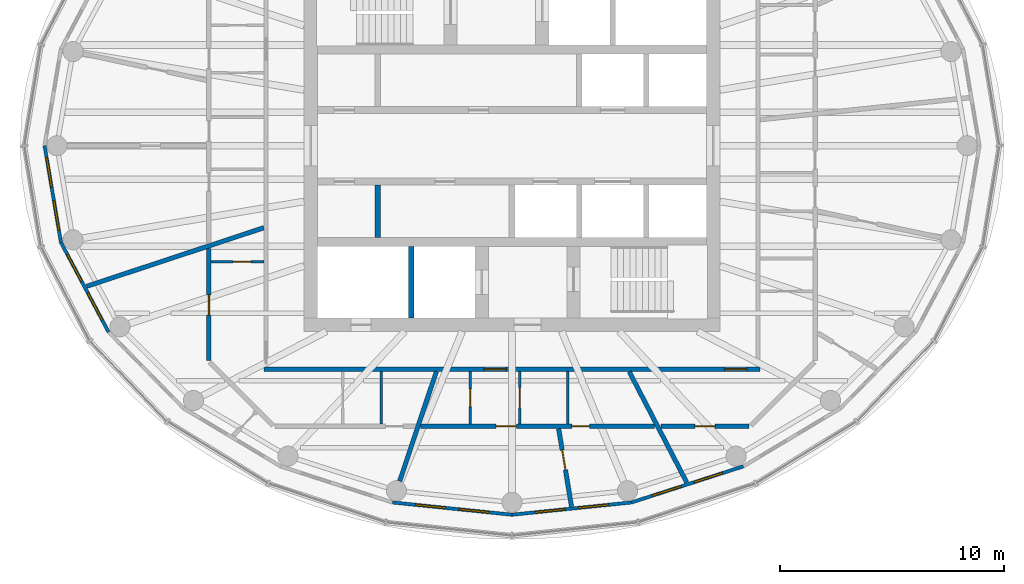
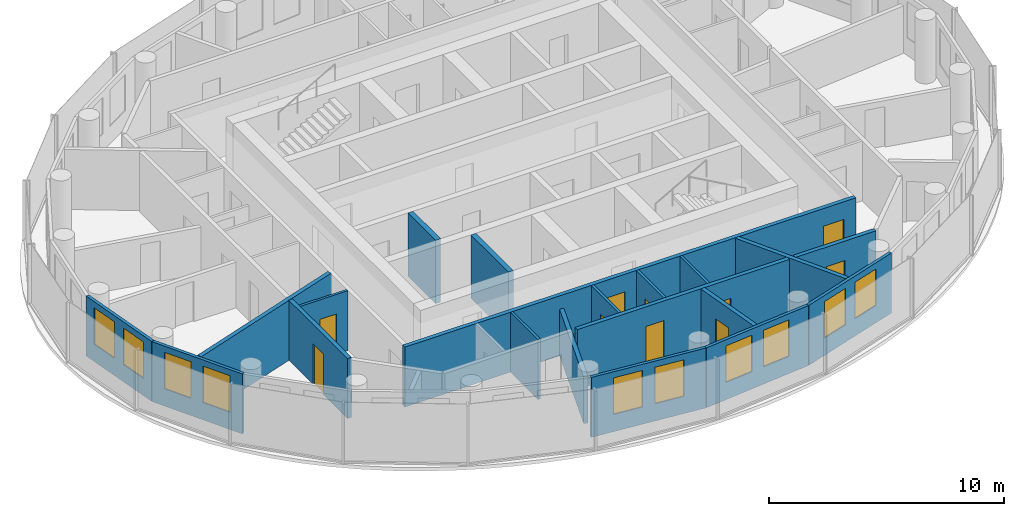
# One storey, part 5 of 11: 20 walls, 10 doors, 10 windows, 20 openings.
"""IFC4 building model written with IfcOpenShell, lengths in metres."""

from ifc_helpers import new_model, si_unit, direction, frame, frame_2d, origin, place, context, subcontext, project, spatial, rectangle, extrude, material, layer, layer_set, type_object, element, fill, save


model = new_model("IFC4")

# Units and contexts
model_context = context("Model", 3, precision=1e-05, world=origin(), true_north=direction((0.0, 1.0)))
body_context = subcontext(model_context, "Body", "Model", "MODEL_VIEW")
ifc_project = project(units=[si_unit("LENGTHUNIT", "METRE"), si_unit("AREAUNIT", "SQUARE_METRE"), si_unit("VOLUMEUNIT", "CUBIC_METRE"), si_unit("PLANEANGLEUNIT", "RADIAN"), si_unit("MASSUNIT", "GRAM", prefix="KILO")], contexts=[model_context])

# Site, building, storey
site_placement = place(None, origin())
site = spatial("IfcSite", under=ifc_project, at=site_placement, CompositionType="ELEMENT")
building_placement = place(site_placement, origin())
building = spatial("IfcBuilding", under=site, at=building_placement, Name="Hankou Lantern Tower", CompositionType="ELEMENT")
storey_placement = place(building_placement, frame((0.0, 0.0, 209.39990234375)))
storey = spatial("IfcBuildingStorey", under=building, at=storey_placement, Name="L56", CompositionType="ELEMENT", Elevation=209.39990234375)

# Wall, openings, windows
ifc_material_1 = material(Name="Aluminium spandrel panel on steel studs", Category="steel")
ifc_layer_1 = layer(ifc_material_1, 0.14990234375)
ifc_layer_set_1 = layer_set([ifc_layer_1], Name="Aluminium spandrel panel on steel studs")
wall_type_1 = type_object("IfcWallType", Name="EW1 INNER SKIN WALL 150", PredefinedType="ELEMENTEDWALL", material=ifc_layer_set_1)
wall_1_placement = place(storey_placement, frame((-20.89990234375, 0.0, 0.0), z_axis=(0.0, 0.0, 1.0), x_axis=(0.166538513568, -0.986034950445, 0.0)))
wall_1 = element("IfcWall", 1, at=wall_1_placement, inside=storey, type_object=wall_type_1, Name="Inner skin R13-R14 L56", PredefinedType="ELEMENTEDWALL", context=body_context, shape_type="SweptSolid", body=[
    extrude(rectangle(XDim=4.384765625, YDim=0.14990234375, at=frame_2d((2.1923828125, 0.0))), origin(), (0.0, 0.0, 1.0), 3.1201171875),
])
opening_1_placement = place(wall_1_placement, frame((0.54248046875, 0.0, 0.89990234375)))
opening_1 = element("IfcOpeningElement", 2, at=opening_1_placement, cuts=wall_1, Name="Opening W4", PredefinedType="OPENING", context=body_context, shape_type="SweptSolid", body=[
    extrude(rectangle(XDim=1.35009765625, YDim=1.89990234375, at=frame_2d((0.675048828125, 0.949951171875))), frame((0.0, 0.0849609375, 0.0), z_axis=(0.0, -1.0, 0.0), x_axis=(1.0, 0.0, 0.0)), (0.0, 0.0, 1.0), 0.169921875),
])
opening_2_placement = place(wall_1_placement, frame((2.492431640625, 0.0, 0.89990234375)))
opening_2 = element("IfcOpeningElement", 3, at=opening_2_placement, cuts=wall_1, Name="Opening W4", PredefinedType="OPENING", context=body_context, shape_type="SweptSolid", body=[
    extrude(rectangle(XDim=1.35009765625, YDim=1.89990234375, at=frame_2d((0.675048828125, 0.949951171875))), frame((0.0, 0.0849609375, 0.0), z_axis=(0.0, -1.0, 0.0), x_axis=(1.0, 0.0, 0.0)), (0.0, 0.0, 1.0), 0.169921875),
])
ifc_material_2 = material(Name="Aluminium framed double glazed window", Category="aluminium")
window_type = type_object("IfcWindowType", Name="W4 SUITE WINDOW 1350X1900", PartitioningType="DOUBLE_PANEL_VERTICAL", PredefinedType="WINDOW", material=ifc_material_2)
window_1_placement = place(opening_1_placement, origin())
window_1 = element("IfcWindow", 4, at=window_1_placement, inside=storey, type_object=window_type, Name="Window R13.1 L56", OverallHeight=1.89990234375, OverallWidth=1.35009765625, PartitioningType="SINGLE_PANEL", PredefinedType="WINDOW", context=body_context, shape_type="SweptSolid", body=[
    extrude(rectangle(XDim=1.35009765625, YDim=1.89990234375, at=frame_2d((0.675048828125, 0.949951171875))), frame((0.0, 0.030029296875, 0.0), z_axis=(0.0, -1.0, 0.0), x_axis=(1.0, 0.0, 0.0)), (0.0, 0.0, 1.0), 0.06005859375),
])
fill(opening_1, window_1)
window_2_placement = place(opening_2_placement, origin())
window_2 = element("IfcWindow", 5, at=window_2_placement, inside=storey, type_object=window_type, Name="Window R13.2 L56", OverallHeight=1.89990234375, OverallWidth=1.35009765625, PartitioningType="SINGLE_PANEL", PredefinedType="WINDOW", context=body_context, shape_type="SweptSolid", body=[
    extrude(rectangle(XDim=1.35009765625, YDim=1.89990234375, at=frame_2d((0.675048828125, 0.949951171875))), frame((0.0, 0.030029296875, 0.0), z_axis=(0.0, -1.0, 0.0), x_axis=(1.0, 0.0, 0.0)), (0.0, 0.0, 1.0), 0.06005859375),
])
fill(opening_2, window_2)

wall_2_placement = place(storey_placement, frame((-20.169677734375, -4.323486328125, 0.0), z_axis=(0.0, 0.0, 1.0), x_axis=(0.469256152955, -0.883062094597, 0.0)))
wall_2 = element("IfcWall", 6, at=wall_2_placement, inside=storey, type_object=wall_type_1, Name="Inner skin R14-R15 L56", PredefinedType="ELEMENTEDWALL", context=body_context, shape_type="SweptSolid", body=[
    extrude(rectangle(XDim=4.539306640625, YDim=0.14990234375, at=frame_2d((2.26953125, 0.0))), origin(), (0.0, 0.0, 1.0), 3.1201171875),
])
opening_3_placement = place(wall_2_placement, frame((0.61962890625, 0.0, 0.89990234375)))
opening_3 = element("IfcOpeningElement", 7, at=opening_3_placement, cuts=wall_2, Name="Opening W4", PredefinedType="OPENING", context=body_context, shape_type="SweptSolid", body=[
    extrude(rectangle(XDim=1.35009765625, YDim=1.89990234375, at=frame_2d((0.675048828125, 0.949951171875))), frame((0.0, 0.0849609375, 0.0), z_axis=(0.0, -1.0, 0.0), x_axis=(1.0, 0.0, 0.0)), (0.0, 0.0, 1.0), 0.169921875),
])
opening_4_placement = place(wall_2_placement, frame((2.569580078125, 0.0, 0.89990234375)))
opening_4 = element("IfcOpeningElement", 8, at=opening_4_placement, cuts=wall_2, Name="Opening W4", PredefinedType="OPENING", context=body_context, shape_type="SweptSolid", body=[
    extrude(rectangle(XDim=1.35009765625, YDim=1.89990234375, at=frame_2d((0.675048828125, 0.949951171875))), frame((0.0, 0.0849609375, 0.0), z_axis=(0.0, -1.0, 0.0), x_axis=(1.0, 0.0, 0.0)), (0.0, 0.0, 1.0), 0.169921875),
])
window_3_placement = place(opening_3_placement, origin())
window_3 = element("IfcWindow", 9, at=window_3_placement, inside=storey, type_object=window_type, Name="Window R14.1 L56", OverallHeight=1.89990234375, OverallWidth=1.35009765625, PartitioningType="SINGLE_PANEL", PredefinedType="WINDOW", context=body_context, shape_type="SweptSolid", body=[
    extrude(rectangle(XDim=1.35009765625, YDim=1.89990234375, at=frame_2d((0.675048828125, 0.949951171875))), frame((0.0, 0.030029296875, 0.0), z_axis=(0.0, -1.0, 0.0), x_axis=(1.0, 0.0, 0.0)), (0.0, 0.0, 1.0), 0.06005859375),
])
fill(opening_3, window_3)
window_4_placement = place(opening_4_placement, origin())
window_4 = element("IfcWindow", 10, at=window_4_placement, inside=storey, type_object=window_type, Name="Window R14.2 L56", OverallHeight=1.89990234375, OverallWidth=1.35009765625, PartitioningType="SINGLE_PANEL", PredefinedType="WINDOW", context=body_context, shape_type="SweptSolid", body=[
    extrude(rectangle(XDim=1.35009765625, YDim=1.89990234375, at=frame_2d((0.675048828125, 0.949951171875))), frame((0.0, 0.030029296875, 0.0), z_axis=(0.0, -1.0, 0.0), x_axis=(1.0, 0.0, 0.0)), (0.0, 0.0, 1.0), 0.06005859375),
])
fill(opening_4, window_4)

wall_3_placement = place(storey_placement, frame((-5.3427734375, -15.95166015625, 0.0), z_axis=(0.0, 0.0, 1.0), x_axis=(0.994774574972, -0.102095763818, 0.0)))
wall_3 = element("IfcWall", 11, at=wall_3_placement, inside=storey, type_object=wall_type_1, Name="Inner skin R18-R19 L56", PredefinedType="ELEMENTEDWALL", context=body_context, shape_type="SweptSolid", body=[
    extrude(rectangle(XDim=5.370849609375, YDim=0.14990234375, at=frame_2d((2.685546875, 0.0))), origin(), (0.0, 0.0, 1.0), 3.1201171875),
])
opening_5_placement = place(wall_3_placement, frame((1.035400390625, 0.0, 0.89990234375)))
opening_5 = element("IfcOpeningElement", 12, at=opening_5_placement, cuts=wall_3, Name="Opening W4", PredefinedType="OPENING", context=body_context, shape_type="SweptSolid", body=[
    extrude(rectangle(XDim=1.35009765625, YDim=1.89990234375, at=frame_2d((0.675048828125, 0.949951171875))), frame((0.0, 0.0849609375, 0.0), z_axis=(0.0, -1.0, 0.0), x_axis=(1.0, 0.0, 0.0)), (0.0, 0.0, 1.0), 0.169921875),
])
opening_6_placement = place(wall_3_placement, frame((2.9853515625, 0.0, 0.89990234375)))
opening_6 = element("IfcOpeningElement", 13, at=opening_6_placement, cuts=wall_3, Name="Opening W4", PredefinedType="OPENING", context=body_context, shape_type="SweptSolid", body=[
    extrude(rectangle(XDim=1.35009765625, YDim=1.89990234375, at=frame_2d((0.675048828125, 0.949951171875))), frame((0.0, 0.0849609375, 0.0), z_axis=(0.0, -1.0, 0.0), x_axis=(1.0, 0.0, 0.0)), (0.0, 0.0, 1.0), 0.169921875),
])
window_5_placement = place(opening_5_placement, origin())
window_5 = element("IfcWindow", 14, at=window_5_placement, inside=storey, type_object=window_type, Name="Window R18.1 L56", OverallHeight=1.89990234375, OverallWidth=1.35009765625, PartitioningType="SINGLE_PANEL", PredefinedType="WINDOW", context=body_context, shape_type="SweptSolid", body=[
    extrude(rectangle(XDim=1.35009765625, YDim=1.89990234375, at=frame_2d((0.675048828125, 0.949951171875))), frame((0.0, 0.030029296875, 0.0), z_axis=(0.0, -1.0, 0.0), x_axis=(1.0, 0.0, 0.0)), (0.0, 0.0, 1.0), 0.06005859375),
])
fill(opening_5, window_5)
window_6_placement = place(opening_6_placement, origin())
window_6 = element("IfcWindow", 15, at=window_6_placement, inside=storey, type_object=window_type, Name="Window R18.2 L56", OverallHeight=1.89990234375, OverallWidth=1.35009765625, PartitioningType="SINGLE_PANEL", PredefinedType="WINDOW", context=body_context, shape_type="SweptSolid", body=[
    extrude(rectangle(XDim=1.35009765625, YDim=1.89990234375, at=frame_2d((0.675048828125, 0.949951171875))), frame((0.0, 0.030029296875, 0.0), z_axis=(0.0, -1.0, 0.0), x_axis=(1.0, 0.0, 0.0)), (0.0, 0.0, 1.0), 0.06005859375),
])
fill(opening_6, window_6)

wall_4_placement = place(storey_placement, frame((0.0, -16.5, 0.0), z_axis=(0.0, 0.0, 1.0), x_axis=(0.994774574972, 0.102095763818, 0.0)))
wall_4 = element("IfcWall", 16, at=wall_4_placement, inside=storey, type_object=wall_type_1, Name="Inner skin R19-R20 L56", PredefinedType="ELEMENTEDWALL", context=body_context, shape_type="SweptSolid", body=[
    extrude(rectangle(XDim=5.370849609375, YDim=0.14990234375, at=frame_2d((2.685546875, 0.0))), origin(), (0.0, 0.0, 1.0), 3.1201171875),
])
opening_7_placement = place(wall_4_placement, frame((1.035400390625, 0.0, 0.89990234375)))
opening_7 = element("IfcOpeningElement", 17, at=opening_7_placement, cuts=wall_4, Name="Opening W4", PredefinedType="OPENING", context=body_context, shape_type="SweptSolid", body=[
    extrude(rectangle(XDim=1.35009765625, YDim=1.89990234375, at=frame_2d((0.675048828125, 0.949951171875))), frame((0.0, 0.0849609375, 0.0), z_axis=(0.0, -1.0, 0.0), x_axis=(1.0, 0.0, 0.0)), (0.0, 0.0, 1.0), 0.169921875),
])
opening_8_placement = place(wall_4_placement, frame((2.9853515625, 0.0, 0.89990234375)))
opening_8 = element("IfcOpeningElement", 18, at=opening_8_placement, cuts=wall_4, Name="Opening W4", PredefinedType="OPENING", context=body_context, shape_type="SweptSolid", body=[
    extrude(rectangle(XDim=1.35009765625, YDim=1.89990234375, at=frame_2d((0.675048828125, 0.949951171875))), frame((0.0, 0.0849609375, 0.0), z_axis=(0.0, -1.0, 0.0), x_axis=(1.0, 0.0, 0.0)), (0.0, 0.0, 1.0), 0.169921875),
])
window_7_placement = place(opening_7_placement, origin())
window_7 = element("IfcWindow", 19, at=window_7_placement, inside=storey, type_object=window_type, Name="Window R19.1 L56", OverallHeight=1.89990234375, OverallWidth=1.35009765625, PartitioningType="SINGLE_PANEL", PredefinedType="WINDOW", context=body_context, shape_type="SweptSolid", body=[
    extrude(rectangle(XDim=1.35009765625, YDim=1.89990234375, at=frame_2d((0.675048828125, 0.949951171875))), frame((0.0, 0.030029296875, 0.0), z_axis=(0.0, -1.0, 0.0), x_axis=(1.0, 0.0, 0.0)), (0.0, 0.0, 1.0), 0.06005859375),
])
fill(opening_7, window_7)
window_8_placement = place(opening_8_placement, origin())
window_8 = element("IfcWindow", 20, at=window_8_placement, inside=storey, type_object=window_type, Name="Window R19.2 L56", OverallHeight=1.89990234375, OverallWidth=1.35009765625, PartitioningType="SINGLE_PANEL", PredefinedType="WINDOW", context=body_context, shape_type="SweptSolid", body=[
    extrude(rectangle(XDim=1.35009765625, YDim=1.89990234375, at=frame_2d((0.675048828125, 0.949951171875))), frame((0.0, 0.030029296875, 0.0), z_axis=(0.0, -1.0, 0.0), x_axis=(1.0, 0.0, 0.0)), (0.0, 0.0, 1.0), 0.06005859375),
])
fill(opening_8, window_8)

wall_5_placement = place(storey_placement, frame((5.3427734375, -15.95166015625, 0.0), z_axis=(0.0, 0.0, 1.0), x_axis=(0.951644702515, 0.307200846638, 0.0)))
wall_5 = element("IfcWall", 21, at=wall_5_placement, inside=storey, type_object=wall_type_1, Name="Inner skin R20-R21 L56", PredefinedType="ELEMENTEDWALL", context=body_context, shape_type="SweptSolid", body=[
    extrude(rectangle(XDim=5.2578125, YDim=0.14990234375, at=frame_2d((2.62890625, 0.0))), origin(), (0.0, 0.0, 1.0), 3.1201171875),
])
opening_9_placement = place(wall_5_placement, frame((0.97900390625, 0.0, 0.89990234375)))
opening_9 = element("IfcOpeningElement", 22, at=opening_9_placement, cuts=wall_5, Name="Opening W4", PredefinedType="OPENING", context=body_context, shape_type="SweptSolid", body=[
    extrude(rectangle(XDim=1.35009765625, YDim=1.89990234375, at=frame_2d((0.675048828125, 0.949951171875))), frame((0.0, 0.0849609375, 0.0), z_axis=(0.0, -1.0, 0.0), x_axis=(1.0, 0.0, 0.0)), (0.0, 0.0, 1.0), 0.169921875),
])
opening_10_placement = place(wall_5_placement, frame((2.928955078125, 0.0, 0.89990234375)))
opening_10 = element("IfcOpeningElement", 23, at=opening_10_placement, cuts=wall_5, Name="Opening W4", PredefinedType="OPENING", context=body_context, shape_type="SweptSolid", body=[
    extrude(rectangle(XDim=1.35009765625, YDim=1.89990234375, at=frame_2d((0.675048828125, 0.949951171875))), frame((0.0, 0.0849609375, 0.0), z_axis=(0.0, -1.0, 0.0), x_axis=(1.0, 0.0, 0.0)), (0.0, 0.0, 1.0), 0.169921875),
])
window_9_placement = place(opening_9_placement, origin())
window_9 = element("IfcWindow", 24, at=window_9_placement, inside=storey, type_object=window_type, Name="Window R20.1 L56", OverallHeight=1.89990234375, OverallWidth=1.35009765625, PartitioningType="SINGLE_PANEL", PredefinedType="WINDOW", context=body_context, shape_type="SweptSolid", body=[
    extrude(rectangle(XDim=1.35009765625, YDim=1.89990234375, at=frame_2d((0.675048828125, 0.949951171875))), frame((0.0, 0.030029296875, 0.0), z_axis=(0.0, -1.0, 0.0), x_axis=(1.0, 0.0, 0.0)), (0.0, 0.0, 1.0), 0.06005859375),
])
fill(opening_9, window_9)
window_10_placement = place(opening_10_placement, origin())
window_10 = element("IfcWindow", 25, at=window_10_placement, inside=storey, type_object=window_type, Name="Window R20.2 L56", OverallHeight=1.89990234375, OverallWidth=1.35009765625, PartitioningType="SINGLE_PANEL", PredefinedType="WINDOW", context=body_context, shape_type="SweptSolid", body=[
    extrude(rectangle(XDim=1.35009765625, YDim=1.89990234375, at=frame_2d((0.675048828125, 0.949951171875))), frame((0.0, 0.030029296875, 0.0), z_axis=(0.0, -1.0, 0.0), x_axis=(1.0, 0.0, 0.0)), (0.0, 0.0, 1.0), 0.06005859375),
])
fill(opening_10, window_10)

# Walls
ifc_material_3 = material(Name="Masonry lightweight concrete block", Category="masonry")
ifc_layer_2 = layer(ifc_material_3, 0.199951171875)
ifc_layer_set_2 = layer_set([ifc_layer_2], Name="Masonry lightweight concrete block")
wall_type_2 = type_object("IfcWallType", Name="IW1 GUEST ROOM PARTY WALL 200", PredefinedType="PARTITIONING", material=ifc_layer_set_2)
wall_6_placement = place(storey_placement, frame((-11.10009765625, -3.668701171875, 0.0), z_axis=(0.0, 0.0, 1.0), x_axis=(-0.949476668397, -0.313837627079, 0.0)))
element("IfcWall", 26, at=wall_6_placement, inside=storey, type_object=wall_type_2, Name="Party wall R14-R15", PredefinedType="PARTITIONING", context=body_context, shape_type="SweptSolid", body=[
    extrude(rectangle(XDim=8.338623046875, YDim=0.199951171875, at=frame_2d((4.16943359375, 0.0))), origin(), (0.0, 0.0, 1.0), 3.1201171875),
])
wall_7_placement = place(storey_placement, frame((-3.3828125, -10.10009765625, 0.0), z_axis=(0.0, 0.0, 1.0), x_axis=(-0.317602151035, -0.948224063003, 0.0)))
element("IfcWall", 27, at=wall_7_placement, inside=storey, type_object=wall_type_2, Name="Party wall R18", PredefinedType="PARTITIONING", context=body_context, shape_type="SweptSolid", body=[
    extrude(rectangle(XDim=5.16796875, YDim=0.199951171875, at=frame_2d((2.583984375, 0.0))), origin(), (0.0, 0.0, 1.0), 2.420166015625),
])
wall_8_placement = place(storey_placement, frame((5.2412109375, -10.10009765625, 0.0), z_axis=(0.0, 0.0, 1.0), x_axis=(0.460603196597, -0.887606160008, 0.0)))
element("IfcWall", 28, at=wall_8_placement, inside=storey, type_object=wall_type_2, Name="Party wall R20-R21", PredefinedType="PARTITIONING", context=body_context, shape_type="SweptSolid", body=[
    extrude(rectangle(XDim=5.580322265625, YDim=0.199951171875, at=frame_2d((2.7900390625, 0.0))), origin(), (0.0, 0.0, 1.0), 3.1201171875),
])

# Wall, openings, doors
ifc_material_4 = material(Name="Masonry lightweight concrete block", Category="masonry")
ifc_layer_3 = layer(ifc_material_4, 0.199951171875)
ifc_layer_set_3 = layer_set([ifc_layer_3], Name="Masonry lightweight concrete block")
wall_type_3 = type_object("IfcWallType", Name="IW2 CORRIDOR WALL 200", PredefinedType="PARTITIONING", material=ifc_layer_set_3)
wall_9_placement = place(storey_placement, frame((11.10009765625, -10.0, 0.0), z_axis=(0.0, 0.0, 1.0), x_axis=(-1.0, 0.0, 0.0)))
wall_9 = element("IfcWall", 29, at=wall_9_placement, inside=storey, type_object=wall_type_3, Name="Corridor wall south", PredefinedType="PARTITIONING", context=body_context, shape_type="SweptSolid", body=[
    extrude(rectangle(XDim=22.2001953125, YDim=0.199951171875, at=frame_2d((11.10009765625, 0.0))), origin(), (0.0, 0.0, 1.0), 3.1201171875),
])
opening_11_placement = place(wall_9_placement, frame((11.359619140625, 0.0, 0.0)))
opening_11 = element("IfcOpeningElement", 30, at=opening_11_placement, cuts=wall_9, Name="Opening D2", PredefinedType="OPENING", context=body_context, shape_type="SweptSolid", body=[
    extrude(rectangle(XDim=1.0, YDim=2.199951171875, at=frame_2d((0.5, 1.10009765625))), frame((0.0, 0.10986328125, 0.0), z_axis=(0.0, -1.0, 0.0), x_axis=(1.0, 0.0, 0.0)), (0.0, 0.0, 1.0), 0.219970703125),
])
opening_12_placement = place(wall_9_placement, frame((0.594970703125, 0.0, 0.0)))
opening_12 = element("IfcOpeningElement", 31, at=opening_12_placement, cuts=wall_9, Name="Opening D2", PredefinedType="OPENING", context=body_context, shape_type="SweptSolid", body=[
    extrude(rectangle(XDim=1.0, YDim=2.199951171875, at=frame_2d((0.5, 1.10009765625))), frame((0.0, 0.10986328125, 0.0), z_axis=(0.0, -1.0, 0.0), x_axis=(1.0, 0.0, 0.0)), (0.0, 0.0, 1.0), 0.219970703125),
])
ifc_material_5 = material(Name="Steel door leaf", Category="steel")
door_type_1 = type_object("IfcDoorType", Name="D2 SUITE DOOR 1000X2200", OperationType="SINGLE_SWING_LEFT", PredefinedType="DOOR", material=ifc_material_5)
door_1_placement = place(opening_11_placement, origin())
door_1 = element("IfcDoor", 32, at=door_1_placement, inside=storey, type_object=door_type_1, Name="Suite door 5605", OperationType="SINGLE_SWING_RIGHT", OverallHeight=2.199951171875, OverallWidth=1.0, PredefinedType="DOOR", context=body_context, shape_type="SweptSolid", body=[
    extrude(rectangle(XDim=1.0, YDim=2.199951171875, at=frame_2d((0.5, 1.10009765625))), frame((0.0, 0.02490234375, 0.0), z_axis=(0.0, -1.0, 0.0), x_axis=(1.0, 0.0, 0.0)), (0.0, 0.0, 1.0), 0.050048828125),
])
fill(opening_11, door_1)
door_2_placement = place(opening_12_placement, origin())
door_2 = element("IfcDoor", 33, at=door_2_placement, inside=storey, type_object=door_type_1, Name="Suite door 5606", OperationType="SINGLE_SWING_RIGHT", OverallHeight=2.199951171875, OverallWidth=1.0, PredefinedType="DOOR", context=body_context, shape_type="SweptSolid", body=[
    extrude(rectangle(XDim=1.0, YDim=2.199951171875, at=frame_2d((0.5, 1.10009765625))), frame((0.0, 0.02490234375, 0.0), z_axis=(0.0, -1.0, 0.0), x_axis=(1.0, 0.0, 0.0)), (0.0, 0.0, 1.0), 0.050048828125),
])
fill(opening_12, door_2)

# Wall, opening, door
ifc_material_6 = material(Name="Masonry lightweight concrete block", Category="masonry")
ifc_layer_4 = layer(ifc_material_6, 0.1201171875)
ifc_layer_set_4 = layer_set([ifc_layer_4], Name="Masonry lightweight concrete block")
wall_type_4 = type_object("IfcWallType", Name="IW3 BATHROOM WALL 120", PredefinedType="PARTITIONING", material=ifc_layer_set_4)
wall_10_placement = place(storey_placement, frame((-11.10009765625, -5.185302734375, 0.0), z_axis=(0.0, 0.0, 1.0), x_axis=(-1.0, 0.0, 0.0)))
wall_10 = element("IfcWall", 34, at=wall_10_placement, inside=storey, type_object=wall_type_4, Name="Box wall 5604 1", PredefinedType="PARTITIONING", context=body_context, shape_type="SweptSolid", body=[
    extrude(rectangle(XDim=2.349853515625, YDim=0.1201171875, at=frame_2d((1.1748046875, 0.0))), origin(), (0.0, 0.0, 1.0), 3.1201171875),
])
opening_13_placement = place(wall_10_placement, frame((0.570068359375, 0.0, 0.0)))
opening_13 = element("IfcOpeningElement", 35, at=opening_13_placement, cuts=wall_10, Name="Opening D3", PredefinedType="OPENING", context=body_context, shape_type="SweptSolid", body=[
    extrude(rectangle(XDim=0.800048828125, YDim=2.10009765625, at=frame_2d((0.39990234375, 1.050048828125))), frame((0.0, 0.070068359375, 0.0), z_axis=(0.0, -1.0, 0.0), x_axis=(1.0, 0.0, 0.0)), (0.0, 0.0, 1.0), 0.14013671875),
])
ifc_material_7 = material(Name="Timber door leaf", Category="wood")
door_type_2 = type_object("IfcDoorType", Name="D3 BATHROOM DOOR 800X2100", OperationType="SINGLE_SWING_LEFT", PredefinedType="DOOR", material=ifc_material_7)
door_3_placement = place(opening_13_placement, origin())
door_3 = element("IfcDoor", 36, at=door_3_placement, inside=storey, type_object=door_type_2, Name="Suite 5604 guest WC door", OperationType="SINGLE_SWING_LEFT", OverallHeight=2.10009765625, OverallWidth=0.800048828125, PredefinedType="DOOR", context=body_context, shape_type="SweptSolid", body=[
    extrude(rectangle(XDim=0.800048828125, YDim=2.10009765625, at=frame_2d((0.39990234375, 1.050048828125))), frame((0.0, 0.02490234375, 0.0), z_axis=(0.0, -1.0, 0.0), x_axis=(1.0, 0.0, 0.0)), (0.0, 0.0, 1.0), 0.050048828125),
])
fill(opening_13, door_3)

# Wall
wall_11_placement = place(storey_placement, frame((-5.849365234375, -10.10009765625, 0.0), z_axis=(0.0, 0.0, 1.0), x_axis=(0.0, -1.0, 0.0)))
element("IfcWall", 37, at=wall_11_placement, inside=storey, type_object=wall_type_4, Name="Box wall 5604 3", PredefinedType="PARTITIONING", context=body_context, shape_type="SweptSolid", body=[
    extrude(rectangle(XDim=2.349853515625, YDim=0.1201171875, at=frame_2d((1.1748046875, 0.0))), origin(), (0.0, 0.0, 1.0), 3.1201171875),
])

# Wall, opening, door
wall_12_placement = place(storey_placement, frame((-1.86962890625, -10.10009765625, 0.0), z_axis=(0.0, 0.0, 1.0), x_axis=(0.0, -1.0, 0.0)))
wall_12 = element("IfcWall", 38, at=wall_12_placement, inside=storey, type_object=wall_type_4, Name="Box wall 5605 1", PredefinedType="PARTITIONING", context=body_context, shape_type="SweptSolid", body=[
    extrude(rectangle(XDim=2.349853515625, YDim=0.1201171875, at=frame_2d((1.1748046875, 0.0))), origin(), (0.0, 0.0, 1.0), 3.1201171875),
])
opening_14_placement = place(wall_12_placement, frame((0.77001953125, 0.0, 0.0)))
opening_14 = element("IfcOpeningElement", 39, at=opening_14_placement, cuts=wall_12, Name="Opening D3", PredefinedType="OPENING", context=body_context, shape_type="SweptSolid", body=[
    extrude(rectangle(XDim=0.800048828125, YDim=2.10009765625, at=frame_2d((0.39990234375, 1.050048828125))), frame((0.0, 0.070068359375, 0.0), z_axis=(0.0, -1.0, 0.0), x_axis=(1.0, 0.0, 0.0)), (0.0, 0.0, 1.0), 0.14013671875),
])
door_4_placement = place(opening_14_placement, origin())
door_4 = element("IfcDoor", 40, at=door_4_placement, inside=storey, type_object=door_type_2, Name="Suite 5605 guest WC door", OperationType="SINGLE_SWING_LEFT", OverallHeight=2.10009765625, OverallWidth=0.800048828125, PredefinedType="DOOR", context=body_context, shape_type="SweptSolid", body=[
    extrude(rectangle(XDim=0.800048828125, YDim=2.10009765625, at=frame_2d((0.39990234375, 1.050048828125))), frame((0.0, 0.02490234375, 0.0), z_axis=(0.0, -1.0, 0.0), x_axis=(1.0, 0.0, 0.0)), (0.0, 0.0, 1.0), 0.050048828125),
])
fill(opening_14, door_4)

wall_13_placement = place(storey_placement, frame((0.350341796875, -10.10009765625, 0.0), z_axis=(0.0, 0.0, 1.0), x_axis=(0.0, -1.0, 0.0)))
wall_13 = element("IfcWall", 41, at=wall_13_placement, inside=storey, type_object=wall_type_4, Name="Box wall 5605 2", PredefinedType="PARTITIONING", context=body_context, shape_type="SweptSolid", body=[
    extrude(rectangle(XDim=2.349853515625, YDim=0.1201171875, at=frame_2d((1.1748046875, 0.0))), origin(), (0.0, 0.0, 1.0), 3.1201171875),
])
opening_15_placement = place(wall_13_placement, frame((0.719970703125, 0.0, 0.0)))
opening_15 = element("IfcOpeningElement", 42, at=opening_15_placement, cuts=wall_13, Name="Opening D27", PredefinedType="OPENING", context=body_context, shape_type="SweptSolid", body=[
    extrude(rectangle(XDim=0.89990234375, YDim=2.10009765625, at=frame_2d((0.449951171875, 1.050048828125))), frame((0.0, 0.070068359375, 0.0), z_axis=(0.0, -1.0, 0.0), x_axis=(1.0, 0.0, 0.0)), (0.0, 0.0, 1.0), 0.14013671875),
])
ifc_material_8 = material(Name="Timber door leaf", Category="wood")
door_type_3 = type_object("IfcDoorType", Name="D27 INTERNAL DOOR 900X2100", OperationType="SINGLE_SWING_LEFT", PredefinedType="DOOR", material=ifc_material_8)
door_5_placement = place(opening_15_placement, origin())
door_5 = element("IfcDoor", 43, at=door_5_placement, inside=storey, type_object=door_type_3, Name="Suite 5605 walk-in wardrobe door", OperationType="SINGLE_SWING_LEFT", OverallHeight=2.10009765625, OverallWidth=0.89990234375, PredefinedType="DOOR", context=body_context, shape_type="SweptSolid", body=[
    extrude(rectangle(XDim=0.89990234375, YDim=2.10009765625, at=frame_2d((0.449951171875, 1.050048828125))), frame((0.0, 0.02490234375, 0.0), z_axis=(0.0, -1.0, 0.0), x_axis=(1.0, 0.0, 0.0)), (0.0, 0.0, 1.0), 0.050048828125),
])
fill(opening_15, door_5)

# Wall
wall_14_placement = place(storey_placement, frame((2.489501953125, -10.10009765625, 0.0), z_axis=(0.0, 0.0, 1.0), x_axis=(0.0, -1.0, 0.0)))
element("IfcWall", 44, at=wall_14_placement, inside=storey, type_object=wall_type_4, Name="Box wall 5605 3", PredefinedType="PARTITIONING", context=body_context, shape_type="SweptSolid", body=[
    extrude(rectangle(XDim=2.349853515625, YDim=0.1201171875, at=frame_2d((1.1748046875, 0.0))), origin(), (0.0, 0.0, 1.0), 3.1201171875),
])

# Wall, opening, door
ifc_material_9 = material(Name="Masonry lightweight concrete block", Category="masonry")
ifc_layer_5 = layer(ifc_material_9, 0.199951171875)
ifc_layer_set_5 = layer_set([ifc_layer_5], Name="Masonry lightweight concrete block")
wall_type_5 = type_object("IfcWallType", Name="IW6 SUITE PARTITION 200", PredefinedType="PARTITIONING", material=ifc_layer_set_5)
wall_15_placement = place(storey_placement, frame((-13.550048828125, -4.599853515625, 0.0), z_axis=(0.0, 0.0, 1.0), x_axis=(0.0, -1.0, 0.0)))
wall_15 = element("IfcWall", 45, at=wall_15_placement, inside=storey, type_object=wall_type_5, Name="Suite foyer wall 5604", PredefinedType="PARTITIONING", context=body_context, shape_type="SweptSolid", body=[
    extrude(rectangle(XDim=5.0087890625, YDim=0.199951171875, at=frame_2d((2.50439453125, 0.0))), origin(), (0.0, 0.0, 1.0), 3.1201171875),
])
opening_16_placement = place(wall_15_placement, frame((2.070068359375, 0.0, 0.0)))
opening_16 = element("IfcOpeningElement", 46, at=opening_16_placement, cuts=wall_15, Name="Opening D27", PredefinedType="OPENING", context=body_context, shape_type="SweptSolid", body=[
    extrude(rectangle(XDim=0.89990234375, YDim=2.10009765625, at=frame_2d((0.449951171875, 1.050048828125))), frame((0.0, 0.10986328125, 0.0), z_axis=(0.0, -1.0, 0.0), x_axis=(1.0, 0.0, 0.0)), (0.0, 0.0, 1.0), 0.219970703125),
])
door_6_placement = place(opening_16_placement, origin())
door_6 = element("IfcDoor", 47, at=door_6_placement, inside=storey, type_object=door_type_3, Name="Suite 5604 living room door", OperationType="SINGLE_SWING_LEFT", OverallHeight=2.10009765625, OverallWidth=0.89990234375, PredefinedType="DOOR", context=body_context, shape_type="SweptSolid", body=[
    extrude(rectangle(XDim=0.89990234375, YDim=2.10009765625, at=frame_2d((0.449951171875, 1.050048828125))), frame((0.0, 0.02490234375, 0.0), z_axis=(0.0, -1.0, 0.0), x_axis=(1.0, 0.0, 0.0)), (0.0, 0.0, 1.0), 0.050048828125),
])
fill(opening_16, door_6)

# Wall, openings, doors
wall_16_placement = place(storey_placement, frame((-4.08203125, -12.550048828125, 0.0), z_axis=(0.0, 0.0, 1.0), x_axis=(1.0, 0.0, 0.0)))
wall_16 = element("IfcWall", 48, at=wall_16_placement, inside=storey, type_object=wall_type_5, Name="Suite foyer wall 5605", PredefinedType="PARTITIONING", context=body_context, shape_type="SweptSolid", body=[
    extrude(rectangle(XDim=10.44580078125, YDim=0.199951171875, at=frame_2d((5.222900390625, 0.0))), origin(), (0.0, 0.0, 1.0), 3.1201171875),
])
opening_17_placement = place(wall_16_placement, frame((6.756591796875, 0.0, 0.0)))
opening_17 = element("IfcOpeningElement", 49, at=opening_17_placement, cuts=wall_16, Name="Opening D3", PredefinedType="OPENING", context=body_context, shape_type="SweptSolid", body=[
    extrude(rectangle(XDim=0.800048828125, YDim=2.10009765625, at=frame_2d((0.39990234375, 1.050048828125))), frame((0.0, 0.10986328125, 0.0), z_axis=(0.0, -1.0, 0.0), x_axis=(1.0, 0.0, 0.0)), (0.0, 0.0, 1.0), 0.219970703125),
])
opening_18_placement = place(wall_16_placement, frame((3.372314453125, 0.0, 0.0)))
opening_18 = element("IfcOpeningElement", 50, at=opening_18_placement, cuts=wall_16, Name="Opening D27", PredefinedType="OPENING", context=body_context, shape_type="SweptSolid", body=[
    extrude(rectangle(XDim=0.89990234375, YDim=2.10009765625, at=frame_2d((0.449951171875, 1.050048828125))), frame((0.0, 0.10986328125, 0.0), z_axis=(0.0, -1.0, 0.0), x_axis=(1.0, 0.0, 0.0)), (0.0, 0.0, 1.0), 0.219970703125),
])
door_7_placement = place(opening_18_placement, origin())
door_7 = element("IfcDoor", 51, at=door_7_placement, inside=storey, type_object=door_type_3, Name="Suite 5605 living room door", OperationType="SINGLE_SWING_RIGHT", OverallHeight=2.10009765625, OverallWidth=0.89990234375, PredefinedType="DOOR", context=body_context, shape_type="SweptSolid", body=[
    extrude(rectangle(XDim=0.89990234375, YDim=2.10009765625, at=frame_2d((0.449951171875, 1.050048828125))), frame((0.0, 0.02490234375, 0.0), z_axis=(0.0, -1.0, 0.0), x_axis=(1.0, 0.0, 0.0)), (0.0, 0.0, 1.0), 0.050048828125),
])
fill(opening_18, door_7)
door_8_placement = place(opening_17_placement, origin())
door_8 = element("IfcDoor", 52, at=door_8_placement, inside=storey, type_object=door_type_2, Name="Suite 5605 bathroom door", OperationType="SINGLE_SWING_LEFT", OverallHeight=2.10009765625, OverallWidth=0.800048828125, PredefinedType="DOOR", context=body_context, shape_type="SweptSolid", body=[
    extrude(rectangle(XDim=0.800048828125, YDim=2.10009765625, at=frame_2d((0.39990234375, 1.050048828125))), frame((0.0, 0.02490234375, 0.0), z_axis=(0.0, -1.0, 0.0), x_axis=(1.0, 0.0, 0.0)), (0.0, 0.0, 1.0), 0.050048828125),
])
fill(opening_17, door_8)

# Wall, opening, door
wall_17_placement = place(storey_placement, frame((2.08642578125, -12.64990234375, 0.0), z_axis=(0.0, 0.0, 1.0), x_axis=(0.162664077359, -0.986681507852, 0.0)))
wall_17 = element("IfcWall", 53, at=wall_17_placement, inside=storey, type_object=wall_type_5, Name="Suite partition R19-R20", PredefinedType="PARTITIONING", context=body_context, shape_type="SweptSolid", body=[
    extrude(rectangle(XDim=3.53759765625, YDim=0.199951171875, at=frame_2d((1.768798828125, 0.0))), origin(), (0.0, 0.0, 1.0), 3.1201171875),
])
opening_19_placement = place(wall_17_placement, frame((0.969970703125, 0.0, 0.0)))
opening_19 = element("IfcOpeningElement", 54, at=opening_19_placement, cuts=wall_17, Name="Opening D27", PredefinedType="OPENING", context=body_context, shape_type="SweptSolid", body=[
    extrude(rectangle(XDim=0.89990234375, YDim=2.10009765625, at=frame_2d((0.449951171875, 1.050048828125))), frame((0.0, 0.10986328125, 0.0), z_axis=(0.0, -1.0, 0.0), x_axis=(1.0, 0.0, 0.0)), (0.0, 0.0, 1.0), 0.219970703125),
])
door_9_placement = place(opening_19_placement, origin())
door_9 = element("IfcDoor", 55, at=door_9_placement, inside=storey, type_object=door_type_3, Name="Suite 5605 bedroom door", OperationType="SINGLE_SWING_LEFT", OverallHeight=2.10009765625, OverallWidth=0.89990234375, PredefinedType="DOOR", context=body_context, shape_type="SweptSolid", body=[
    extrude(rectangle(XDim=0.89990234375, YDim=2.10009765625, at=frame_2d((0.449951171875, 1.050048828125))), frame((0.0, 0.02490234375, 0.0), z_axis=(0.0, -1.0, 0.0), x_axis=(1.0, 0.0, 0.0)), (0.0, 0.0, 1.0), 0.050048828125),
])
fill(opening_19, door_9)

wall_18_placement = place(storey_placement, frame((6.661376953125, -12.550048828125, 0.0), z_axis=(0.0, 0.0, 1.0), x_axis=(1.0, 0.0, 0.0)))
wall_18 = element("IfcWall", 56, at=wall_18_placement, inside=storey, type_object=wall_type_5, Name="Suite foyer wall 5606", PredefinedType="PARTITIONING", context=body_context, shape_type="SweptSolid", body=[
    extrude(rectangle(XDim=3.947265625, YDim=0.199951171875, at=frame_2d((1.9736328125, 0.0))), origin(), (0.0, 0.0, 1.0), 3.1201171875),
])
opening_20_placement = place(wall_18_placement, frame((1.52001953125, 0.0, 0.0)))
opening_20 = element("IfcOpeningElement", 57, at=opening_20_placement, cuts=wall_18, Name="Opening D27", PredefinedType="OPENING", context=body_context, shape_type="SweptSolid", body=[
    extrude(rectangle(XDim=0.89990234375, YDim=2.10009765625, at=frame_2d((0.449951171875, 1.050048828125))), frame((0.0, 0.10986328125, 0.0), z_axis=(0.0, -1.0, 0.0), x_axis=(1.0, 0.0, 0.0)), (0.0, 0.0, 1.0), 0.219970703125),
])
door_10_placement = place(opening_20_placement, origin())
door_10 = element("IfcDoor", 58, at=door_10_placement, inside=storey, type_object=door_type_3, Name="Corner suite 5606 living room door", OperationType="SINGLE_SWING_LEFT", OverallHeight=2.10009765625, OverallWidth=0.89990234375, PredefinedType="DOOR", context=body_context, shape_type="SweptSolid", body=[
    extrude(rectangle(XDim=0.89990234375, YDim=2.10009765625, at=frame_2d((0.449951171875, 1.050048828125))), frame((0.0, 0.02490234375, 0.0), z_axis=(0.0, -1.0, 0.0), x_axis=(1.0, 0.0, 0.0)), (0.0, 0.0, 1.0), 0.050048828125),
])
fill(opening_20, door_10)

# Walls
ifc_material_10 = material(Name="Masonry autoclaved aerated concrete block", Category="masonry")
ifc_layer_6 = layer(ifc_material_10, 0.25)
ifc_layer_set_6 = layer_set([ifc_layer_6], Name="Masonry autoclaved aerated concrete block")
wall_type_6 = type_object("IfcWallType", Name="SW1 SHAFT BLOCK WALL 250", PredefinedType="PARTITIONING", material=ifc_layer_set_6)
wall_19_placement = place(storey_placement, frame((-4.5, -7.699951171875, 0.0), z_axis=(0.0, 0.0, 1.0), x_axis=(0.0, 1.0, 0.0)))
element("IfcWall", 59, at=wall_19_placement, inside=storey, type_object=wall_type_6, Name="Riser wall L56", PredefinedType="PARTITIONING", context=body_context, shape_type="SweptSolid", body=[
    extrude(rectangle(XDim=3.199951171875, YDim=0.25, at=frame_2d((1.60009765625, 0.0))), origin(), (0.0, 0.0, 1.0), 3.300048828125),
])
wall_20_placement = place(storey_placement, frame((-6.0, -4.10009765625, 0.0), z_axis=(0.0, 0.0, 1.0), x_axis=(0.0, 1.0, 0.0)))
element("IfcWall", 60, at=wall_20_placement, inside=storey, type_object=wall_type_6, Name="Lift shaft wall L56", PredefinedType="PARTITIONING", context=body_context, shape_type="SweptSolid", body=[
    extrude(rectangle(XDim=2.35009765625, YDim=0.25, at=frame_2d((1.175048828125, 0.0))), origin(), (0.0, 0.0, 1.0), 3.300048828125),
])

save(model, "model.ifc")
